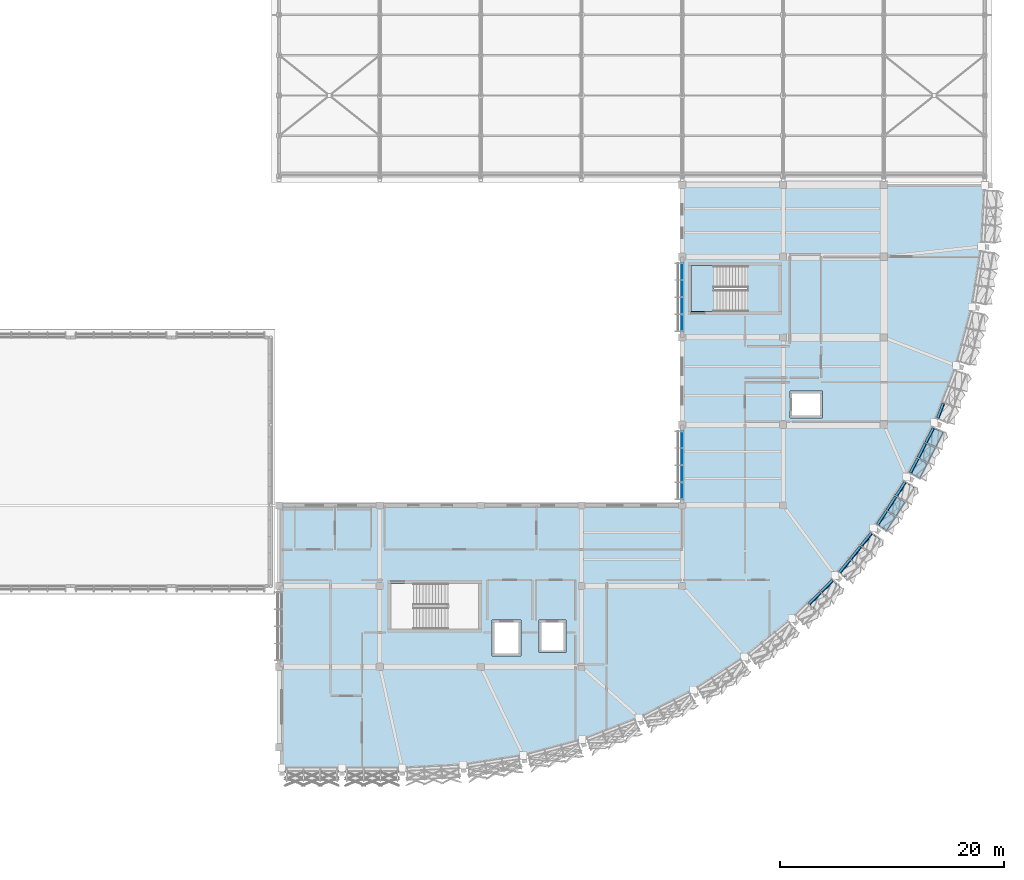
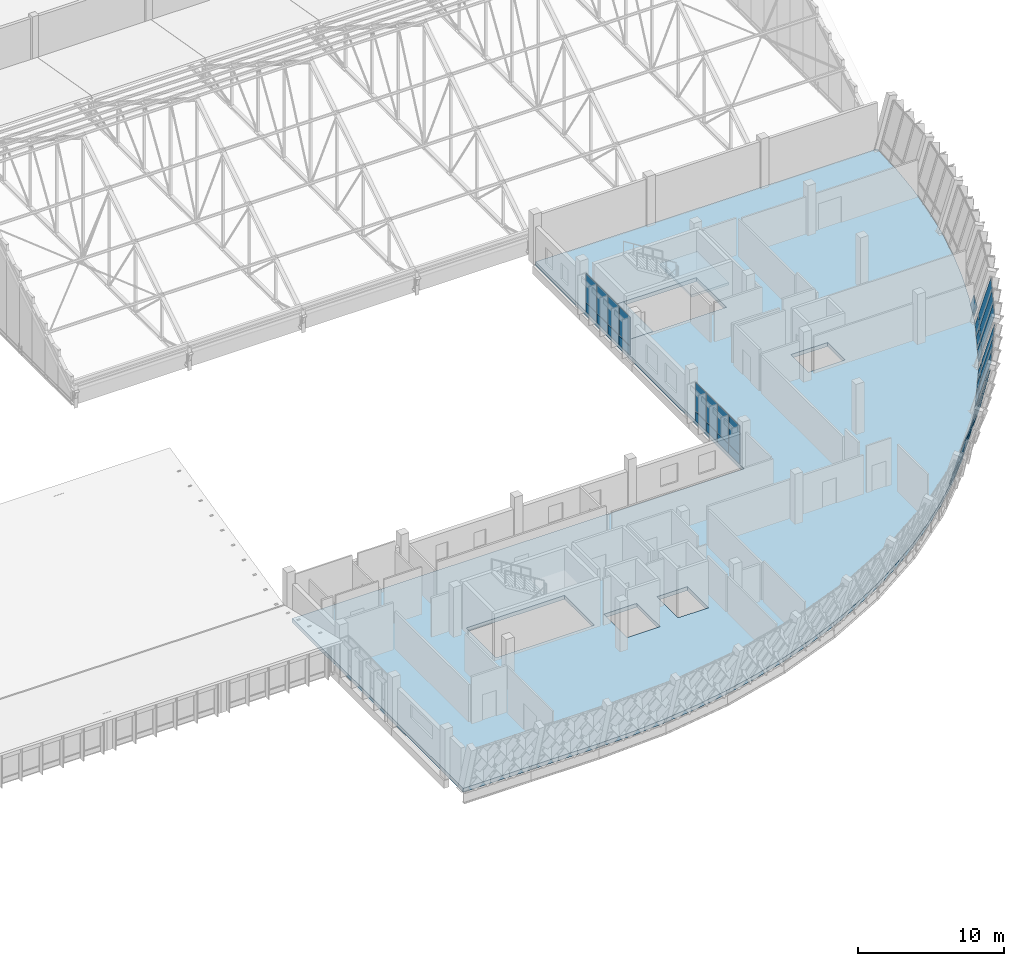
# One storey, part 153 of 182: 39 plates, 3 slabs, 8 elements without a shape of their own.
"""IFC4 building model written with IfcOpenShell, lengths in metres."""

from ifc_helpers import new_model, si_unit, direction, frame, origin, origin_2d, place, context, subcontext, project, spatial, polyline, rectangle, outline, extrude, material, layer, layer_set, type_object, element, aggregate, save


model = new_model("IFC4")

# Units and contexts
model_context = context("Model", 3, precision=1e-05, world=origin(), true_north=direction((0.0, 1.0)))
body_context = subcontext(model_context, "Body", "Model", "MODEL_VIEW")
ifc_project = project(units=[si_unit("LENGTHUNIT", "METRE"), si_unit("AREAUNIT", "SQUARE_METRE"), si_unit("VOLUMEUNIT", "CUBIC_METRE"), si_unit("PLANEANGLEUNIT", "RADIAN"), si_unit("MASSUNIT", "GRAM", prefix="KILO")], contexts=[model_context])

# Site, building, storey
site_placement = place(None, origin())
site = spatial("IfcSite", under=ifc_project, at=site_placement, CompositionType="ELEMENT")
building_placement = place(site_placement, origin())
building = spatial("IfcBuilding", under=site, at=building_placement, Name="Chiffa Square Polytechnic", CompositionType="ELEMENT")
storey_placement = place(building_placement, frame((0.0, 0.0, 9.60009765625)))
storey = spatial("IfcBuildingStorey", under=building, at=storey_placement, Name="L02", CompositionType="ELEMENT", Elevation=9.60009765625)

# Curtain wall, plates
ifc_material_1 = material(Name="Aluminium EN AW-6060 T66 and glulam shading", Category="wood")
curtain_wall_type_1 = type_object("IfcCurtainWallType", Name="CW-PROW-LEAN-150", PredefinedType="USERDEFINED", material=ifc_material_1)
curtain_wall_1_placement = place(storey_placement, origin())
curtain_wall_1 = element("IfcCurtainWall", 1, at=curtain_wall_1_placement, inside=storey, type_object=curtain_wall_type_1, Name="Outward-leaning diamond-fin prow curtain wall CW-V1-L02-037", ObjectType="CURTAIN WALL", PredefinedType="USERDEFINED")
ifc_material_2 = material(Name="Double glazing", Category="glass")
ifc_layer_1 = layer(ifc_material_2, 0.0458984375, Name="Double glazing")
ifc_layer_set_1 = layer_set([ifc_layer_1], Name="Double glazing")
plate_type_1 = type_object("IfcPlateType", Name="CWP-GLZ-128X106", PredefinedType="CURTAIN_PANEL", material=ifc_layer_set_1)
plate_1_placement = place(storey_placement, frame((162.334228515625, 22.765625, 0.8779296875), z_axis=(-0.747978224363, 0.60549840986, 0.271846007025), x_axis=(0.629190433949, 0.77725118054, -1.3280708e-05)))
plate_1 = element("IfcPlate", 2, at=plate_1_placement, type_object=plate_type_1, Name="Leaning prow curtain panel CW-V1-L02-037-PN01", PredefinedType="CURTAIN_PANEL", context=body_context, shape_type="SweptSolid", body=[
    extrude(outline(polyline([(0.0, 0.0), (1.4256808502927982, 5.551115123125783e-17), (1.409511920280749, -3.1351769272348307), (-0.04392767394072132, -3.1351371941604627), (0.0, 0.0)])), origin(), (0.0, 0.0, -1.0), 0.0458984375),
])
plate_2_placement = place(storey_placement, frame((163.30078125, 23.959716796875, 0.8779296875), z_axis=(-0.748004361536, 0.605453513974, 0.271874083978), x_axis=(0.629145841765, 0.777287275744, -2.7508263e-05)))
plate_2 = element("IfcPlate", 3, at=plate_2_placement, type_object=plate_type_1, Name="Leaning prow curtain panel CW-V1-L02-037-PN02", PredefinedType="CURTAIN_PANEL", context=body_context, shape_type="SweptSolid", body=[
    extrude(outline(polyline([(0.0, 0.0), (1.425870618779573, 2.7755575615628914e-17), (1.4392752037283003, -3.135224458592868), (-0.014164383214550467, -3.1351421535746336), (0.0, 0.0)])), origin(), (0.0, 0.0, -1.0), 0.0458984375),
])
plate_3_placement = place(storey_placement, frame((164.267333984375, 25.15380859375, 0.8779296875), z_axis=(-0.748040248726, 0.605416518929, 0.271857729142), x_axis=(0.629107443356, 0.777318354685, -1.3551171e-05)))
plate_3 = element("IfcPlate", 4, at=plate_3_placement, type_object=plate_type_1, Name="Leaning prow curtain panel CW-V1-L02-037-PN03", PredefinedType="CURTAIN_PANEL", context=body_context, shape_type="SweptSolid", body=[
    extrude(outline(polyline([(0.0, 0.0), (1.4258706243067791, 0.0), (1.4693200861258404, -3.1351889536753794), (0.015690733514880137, -3.135148405948471), (0.0, 0.0)])), origin(), (0.0, 0.0, -1.0), 0.0458984375),
])

curtain_wall_type_2 = type_object("IfcCurtainWallType", Name="CW-PROW-LEAN-300", PredefinedType="USERDEFINED", material=ifc_material_1)
curtain_wall_2_placement = place(storey_placement, origin())
curtain_wall_2 = element("IfcCurtainWall", 5, at=curtain_wall_2_placement, inside=storey, type_object=curtain_wall_type_2, Name="Outward-leaning diamond-fin prow curtain wall CW-V1-L02-036", ObjectType="CURTAIN WALL", PredefinedType="USERDEFINED")
ifc_layer_2 = layer(ifc_material_2, 0.0458984375, Name="Double glazing")
ifc_layer_set_2 = layer_set([ifc_layer_2], Name="Double glazing")
plate_type_2 = type_object("IfcPlateType", Name="CWP-GLZ-130X110", PredefinedType="CURTAIN_PANEL", material=ifc_layer_set_2)
plate_4_placement = place(storey_placement, frame((159.5908203125, 19.950927734375, 0.8779296875), z_axis=(-0.68048718727, 0.68048718727, 0.271798410452), x_axis=(0.707106781187, 0.707106781187, 0.0)))
plate_4 = element("IfcPlate", 6, at=plate_4_placement, type_object=plate_type_2, Name="Leaning prow curtain panel CW-V1-L02-036-PN02", PredefinedType="CURTAIN_PANEL", context=body_context, shape_type="SweptSolid", body=[
    extrude(outline(polyline([(0.0, 0.0), (1.4259526397951374, 0.0), (1.439418052132186, -3.1351136771951595), (-0.013810679320049757, -3.1351136771951595), (0.0, 0.0)])), origin(), (0.0, 0.0, -1.0), 0.0458984375),
])
plate_5_placement = place(storey_placement, frame((160.67724609375, 21.037353515625, 0.8779296875), z_axis=(-0.680522792578, 0.680441185336, 0.271824432457), x_axis=(0.707061186312, 0.70715237294, -1.5987614e-05)))
plate_5 = element("IfcPlate", 7, at=plate_5_placement, type_object=plate_type_2, Name="Leaning prow curtain panel CW-V1-L02-036-PN03", PredefinedType="CURTAIN_PANEL", context=body_context, shape_type="SweptSolid", body=[
    extrude(outline(polyline([(0.0, 0.0), (1.425780014288759, 0.0), (1.4690078298560703, -3.1351620264839344), (0.015779101610459638, -3.13511419707687), (0.0, 0.0)])), origin(), (0.0, 0.0, -1.0), 0.0458984375),
])

curtain_wall_type_3 = type_object("IfcCurtainWallType", Name="CW-VERT-300X380", PredefinedType="USERDEFINED", material=ifc_material_1)
curtain_wall_3_placement = place(storey_placement, origin())
curtain_wall_3 = element("IfcCurtainWall", 8, at=curtain_wall_3_placement, inside=storey, type_object=curtain_wall_type_3, Name="Curtain wall CW-V1-L02-131", ObjectType="CURTAIN WALL", PredefinedType="USERDEFINED")
ifc_layer_3 = layer(ifc_material_2, 0.0419921875, Name="Double glazing")
ifc_layer_set_3 = layer_set([ifc_layer_3], Name="Double glazing")
plate_type_3 = type_object("IfcPlateType", Name="CWP-GLZ-136X122", PredefinedType="CURTAIN_PANEL", material=ifc_layer_set_3)
plate_6_placement = place(storey_placement, frame((148.199951171875, 34.68408203125, 0.84033203125), z_axis=(0.0, 0.0, 1.0), x_axis=(0.0, -1.0, 0.0)))
plate_6 = element("IfcPlate", 9, at=plate_6_placement, type_object=plate_type_3, Name="Glazed curtain panel CW-V1-L02-131-PN01", PredefinedType="CURTAIN_PANEL", context=body_context, shape_type="SweptSolid", body=[
    extrude(rectangle(XDim=1.4560546875, YDim=0.0419921875, at=origin_2d()), origin(), (0.0, 0.0, 1.0), 2.385009765625),
])
plate_7_placement = place(storey_placement, frame((148.199951171875, 33.1650390625, 0.84033203125), z_axis=(0.0, 0.0, 1.0), x_axis=(0.0, -1.0, 0.0)))
plate_7 = element("IfcPlate", 10, at=plate_7_placement, type_object=plate_type_3, Name="Glazed curtain panel CW-V1-L02-131-PN02", PredefinedType="CURTAIN_PANEL", context=body_context, shape_type="SweptSolid", body=[
    extrude(rectangle(XDim=1.47802734375, YDim=0.0419921875, at=origin_2d()), origin(), (0.0, 0.0, 1.0), 2.385009765625),
])
plate_8_placement = place(storey_placement, frame((148.199951171875, 31.635009765625, 0.84033203125), z_axis=(0.0, 0.0, 1.0), x_axis=(0.0, -1.0, 0.0)))
plate_8 = element("IfcPlate", 11, at=plate_8_placement, type_object=plate_type_3, Name="Glazed curtain panel CW-V1-L02-131-PN03", PredefinedType="CURTAIN_PANEL", context=body_context, shape_type="SweptSolid", body=[
    extrude(rectangle(XDim=1.47802734375, YDim=0.0419921875, at=origin_2d()), origin(), (0.0, 0.0, 1.0), 2.385009765625),
])
plate_9_placement = place(storey_placement, frame((148.199951171875, 30.115966796875, 0.84033203125), z_axis=(0.0, 0.0, 1.0), x_axis=(0.0, -1.0, 0.0)))
plate_9 = element("IfcPlate", 12, at=plate_9_placement, type_object=plate_type_3, Name="Glazed curtain panel CW-V1-L02-131-PN04", PredefinedType="CURTAIN_PANEL", context=body_context, shape_type="SweptSolid", body=[
    extrude(rectangle(XDim=1.4560546875, YDim=0.0419921875, at=origin_2d()), origin(), (0.0, 0.0, 1.0), 2.385009765625),
])

curtain_wall_type_4 = type_object("IfcCurtainWallType", Name="CW-VERT-450X380", PredefinedType="USERDEFINED", material=ifc_material_1)
curtain_wall_4_placement = place(storey_placement, origin())
curtain_wall_4 = element("IfcCurtainWall", 13, at=curtain_wall_4_placement, inside=storey, type_object=curtain_wall_type_4, Name="Curtain wall CW-V1-L02-130", ObjectType="CURTAIN WALL", PredefinedType="USERDEFINED")
ifc_layer_4 = layer(ifc_material_2, 0.0419921875, Name="Double glazing")
ifc_layer_set_4 = layer_set([ifc_layer_4], Name="Double glazing")
plate_type_4 = type_object("IfcPlateType", Name="CWP-GLZ-138X126", PredefinedType="CURTAIN_PANEL", material=ifc_layer_set_4)
plate_10_placement = place(storey_placement, frame((148.199951171875, 49.68408203125, 0.84033203125), z_axis=(0.0, 0.0, 1.0), x_axis=(0.0, -1.0, 0.0)))
plate_10 = element("IfcPlate", 14, at=plate_10_placement, type_object=plate_type_4, Name="Glazed curtain panel CW-V1-L02-130-PN01", PredefinedType="CURTAIN_PANEL", context=body_context, shape_type="SweptSolid", body=[
    extrude(rectangle(XDim=1.4560546875, YDim=0.0419921875, at=origin_2d()), origin(), (0.0, 0.0, 1.0), 2.385009765625),
])
plate_11_placement = place(storey_placement, frame((148.199951171875, 48.1650390625, 0.84033203125), z_axis=(0.0, 0.0, 1.0), x_axis=(0.0, -1.0, 0.0)))
plate_11 = element("IfcPlate", 15, at=plate_11_placement, type_object=plate_type_4, Name="Glazed curtain panel CW-V1-L02-130-PN02", PredefinedType="CURTAIN_PANEL", context=body_context, shape_type="SweptSolid", body=[
    extrude(rectangle(XDim=1.47802734375, YDim=0.0419921875, at=origin_2d()), origin(), (0.0, 0.0, 1.0), 2.385009765625),
])
plate_12_placement = place(storey_placement, frame((148.199951171875, 46.635009765625, 0.84033203125), z_axis=(0.0, 0.0, 1.0), x_axis=(0.0, -1.0, 0.0)))
plate_12 = element("IfcPlate", 16, at=plate_12_placement, type_object=plate_type_4, Name="Glazed curtain panel CW-V1-L02-130-PN03", PredefinedType="CURTAIN_PANEL", context=body_context, shape_type="SweptSolid", body=[
    extrude(rectangle(XDim=1.47802734375, YDim=0.0419921875, at=origin_2d()), origin(), (0.0, 0.0, 1.0), 2.385009765625),
])
plate_13_placement = place(storey_placement, frame((148.199951171875, 45.115966796875, 0.84033203125), z_axis=(0.0, 0.0, 1.0), x_axis=(0.0, -1.0, 0.0)))
plate_13 = element("IfcPlate", 17, at=plate_13_placement, type_object=plate_type_4, Name="Glazed curtain panel CW-V1-L02-130-PN04", PredefinedType="CURTAIN_PANEL", context=body_context, shape_type="SweptSolid", body=[
    extrude(rectangle(XDim=1.4560546875, YDim=0.0419921875, at=origin_2d()), origin(), (0.0, 0.0, 1.0), 2.385009765625),
])

curtain_wall_5_placement = place(storey_placement, origin())
curtain_wall_5 = element("IfcCurtainWall", 18, at=curtain_wall_5_placement, inside=storey, type_object=curtain_wall_type_1, Name="Outward-leaning diamond-fin prow curtain wall CW-V1-L02-039", ObjectType="CURTAIN WALL", PredefinedType="USERDEFINED")
ifc_layer_5 = layer(ifc_material_2, 0.035888671875, Name="Double glazing")
ifc_layer_set_5 = layer_set([ifc_layer_5], Name="Double glazing")
plate_type_5 = type_object("IfcPlateType", Name="CWP-GLZ-150X125", PredefinedType="CURTAIN_PANEL", material=ifc_layer_set_5)
plate_14_placement = place(storey_placement, frame((168.66845703125, 31.658203125, 0.8779296875), z_axis=(-0.857365950557, 0.436965324568, 0.27200171314), x_axis=(0.454083095093, 0.890959338372, -1.0852916e-05)))
plate_14 = element("IfcPlate", 19, at=plate_14_placement, type_object=plate_type_5, Name="Leaning prow curtain panel CW-V1-L02-039-PN01", PredefinedType="CURTAIN_PANEL", context=body_context, shape_type="SweptSolid", body=[
    extrude(outline(polyline([(0.0, 0.0), (1.4259718664737742, 0.0), (1.410119061189333, -3.135316724393722), (-0.04304108954923857, -3.1352842531450755), (0.0, 0.0)])), origin(), (0.0, 0.0, -1.0), 0.035888671875),
])
plate_15_placement = place(storey_placement, frame((169.365966796875, 33.027099609375, 0.8779296875), z_axis=(-0.857366651184, 0.436965681649, 0.271998931062), x_axis=(0.454083095149, 0.890959338344, -1.0852814e-05)))
plate_15 = element("IfcPlate", 20, at=plate_15_placement, type_object=plate_type_5, Name="Leaning prow curtain panel CW-V1-L02-039-PN02", PredefinedType="CURTAIN_PANEL", context=body_context, shape_type="SweptSolid", body=[
    extrude(outline(polyline([(0.0, 0.0), (1.4259718664737724, 0.0), (1.4397084606658335, -3.1353144958217225), (-0.013451690072743822, -3.135282024905197), (0.0, 0.0)])), origin(), (0.0, 0.0, -1.0), 0.035888671875),
])
plate_16_placement = place(storey_placement, frame((170.063720703125, 34.39599609375, 0.8779296875), z_axis=(-0.857412962183, 0.436866101973, 0.272012906361), x_axis=(0.453978938591, 0.891012414548, -2.0932267e-05)))
plate_16 = element("IfcPlate", 21, at=plate_16_placement, type_object=plate_type_5, Name="Leaning prow curtain panel CW-V1-L02-039-PN03", PredefinedType="CURTAIN_PANEL", context=body_context, shape_type="SweptSolid", body=[
    extrude(outline(polyline([(0.0, 0.0), (1.4258610282005693, 0.0), (1.4693852795035973, -3.1353430927678536), (0.016007614032160205, -3.135280462200278), (0.0, 0.0)])), origin(), (0.0, 0.0, -1.0), 0.035888671875),
])

curtain_wall_6_placement = place(storey_placement, origin())
curtain_wall_6 = element("IfcCurtainWall", 22, at=curtain_wall_6_placement, inside=storey, type_object=curtain_wall_type_2, Name="Outward-leaning diamond-fin prow curtain wall CW-V1-L02-038", ObjectType="CURTAIN WALL", PredefinedType="USERDEFINED")
ifc_layer_6 = layer(ifc_material_2, 0.035888671875, Name="Double glazing")
ifc_layer_set_6 = layer_set([ifc_layer_6], Name="Double glazing")
plate_type_6 = type_object("IfcPlateType", Name="CWP-GLZ-150X145", PredefinedType="CURTAIN_PANEL", material=ifc_layer_set_6)
plate_17_placement = place(storey_placement, frame((165.734130859375, 27.04638671875, 0.8779296875), z_axis=(-0.807013423955, 0.524215940743, 0.27189516551), x_axis=(0.544729282179, 0.838611953056, -3.6450628e-05)))
plate_17 = element("IfcPlate", 23, at=plate_17_placement, type_object=plate_type_6, Name="Leaning prow curtain panel CW-V1-L02-038-PN01", PredefinedType="CURTAIN_PANEL", context=body_context, shape_type="SweptSolid", body=[
    extrude(outline(polyline([(0.0, 0.0), (1.425518030137595, 2.7755575615628914e-17), (1.4098127336501232, -3.1352561227598708), (-0.04332919013115441, -3.135147086043083), (0.0, 0.0)])), origin(), (0.0, 0.0, -1.0), 0.035888671875),
])
plate_18_placement = place(storey_placement, frame((166.57080078125, 28.334716796875, 0.8779296875), z_axis=(-0.806987198527, 0.524227501601, 0.271950708729), x_axis=(0.544757539196, 0.838593598509, -5.392792e-06)))
plate_18 = element("IfcPlate", 24, at=plate_18_placement, type_object=plate_type_6, Name="Leaning prow curtain panel CW-V1-L02-038-PN02", PredefinedType="CURTAIN_PANEL", context=body_context, shape_type="SweptSolid", body=[
    extrude(outline(polyline([(0.0, 0.0), (1.425651021503993, 0.0), (1.4400666688172512, -3.13526192415898), (-0.01327999704428418, -3.1352457902551127), (0.0, 0.0)])), origin(), (0.0, 0.0, -1.0), 0.035888671875),
])
plate_19_placement = place(storey_placement, frame((167.40771484375, 29.623046875, 0.8779296875), z_axis=(-0.807020891391, 0.524167780908, 0.271965840348), x_axis=(0.544693402163, 0.838635258647, -2.4369121e-05)))
plate_19 = element("IfcPlate", 25, at=plate_19_placement, type_object=plate_type_6, Name="Leaning prow curtain panel CW-V1-L02-038-PN03", PredefinedType="CURTAIN_PANEL", context=body_context, shape_type="SweptSolid", body=[
    extrude(outline(polyline([(0.0, 0.0), (1.4255180372250094, -5.551115123125783e-17), (1.4696049830881088, -3.1353050033412684), (0.01625832430358971, -3.135232099984918), (0.0, 0.0)])), origin(), (0.0, 0.0, -1.0), 0.035888671875),
])

# Plate
ifc_material_3 = material(Name="Aluminium insulated spandrel", Category="aluminium")
ifc_layer_7 = layer(ifc_material_3, 0.072021484375, Name="Aluminium insulated spandrel")
ifc_layer_set_7 = layer_set([ifc_layer_7], Name="Aluminium insulated spandrel")
plate_type_7 = type_object("IfcPlateType", Name="CWP-SPN-136X072", PredefinedType="SHEET", material=ifc_layer_set_7)
plate_20_placement = place(storey_placement, frame((162.16015625, 22.92236328125, 0.0498046875), z_axis=(-0.748052670682, 0.605483799074, 0.271673647865), x_axis=(0.629148714013, 0.777284951314, 1.0786799e-05)))
plate_20 = element("IfcPlate", 26, at=plate_20_placement, type_object=plate_type_7, Name="Leaning prow curtain panel CW-V1-L02-037-SP01", PredefinedType="SHEET", context=body_context, shape_type="SweptSolid", body=[
    extrude(outline(polyline([(0.0, 0.0), (1.4178646658289926, 0.0), (1.4136663853875553, -0.8023794921752657), (-0.011327731303854257, -0.802411355936701), (0.0, 0.0)])), origin(), (0.0, 0.0, -1.0), 0.072021484375),
])

plate_21_placement = place(storey_placement, frame((163.121337890625, 24.110107421875, 0.0498046875), z_axis=(-0.747976975007, 0.605422529986, 0.272018391004), x_axis=(0.629148720024, 0.777284946449, 1.0799395e-05)))
plate_21 = element("IfcPlate", 27, at=plate_21_placement, type_object=plate_type_7, Name="Leaning prow curtain panel CW-V1-L02-037-SP02", PredefinedType="SHEET", context=body_context, shape_type="SweptSolid", body=[
    extrude(outline(polyline([(0.0, 0.0), (1.417864665829219, 2.7755575615628914e-17), (1.4214464167784995, -0.8024605875996924), (-0.0035476999122304722, -0.8024924917949837), (0.0, 0.0)])), origin(), (0.0, 0.0, -1.0), 0.072021484375),
])

plate_22_placement = place(storey_placement, frame((164.082763671875, 25.297607421875, 0.0498046875), z_axis=(-0.748088445924, 0.605445863328, 0.271659683527), x_axis=(0.629103604097, 0.77732146201, -3.409175e-06)))
plate_22 = element("IfcPlate", 28, at=plate_22_placement, type_object=plate_type_7, Name="Leaning prow curtain panel CW-V1-L02-037-SP03", PredefinedType="SHEET", context=body_context, shape_type="SweptSolid", body=[
    extrude(outline(polyline([(0.0, 0.0), (1.418054436118946, 0.0), (1.4292751474283922, -0.802397113500277), (0.004281029415414144, -0.8023870423059292), (0.0, 0.0)])), origin(), (0.0, 0.0, -1.0), 0.072021484375),
])

aggregate(curtain_wall_1, [plate_20, plate_1, plate_21, plate_2, plate_22, plate_3])

ifc_layer_8 = layer(ifc_material_3, 0.070068359375, Name="Aluminium insulated spandrel")
ifc_layer_set_8 = layer_set([ifc_layer_8], Name="Aluminium insulated spandrel")
plate_type_8 = type_object("IfcPlateType", Name="CWP-SPN-138X074", PredefinedType="SHEET", material=ifc_layer_set_8)
plate_23_placement = place(storey_placement, frame((159.427978515625, 20.119140625, 0.0498046875), z_axis=(-0.680440190066, 0.680522817897, 0.271826860456), x_axis=(0.707152897955, 0.70706066123, 1.5961211e-05)))
plate_23 = element("IfcPlate", 29, at=plate_23_placement, type_object=plate_type_8, Name="Leaning prow curtain panel CW-V1-L02-036-SP02", PredefinedType="SHEET", context=body_context, shape_type="SweptSolid", body=[
    extrude(outline(polyline([(0.0, 0.0), (1.418184140739986, 0.0), (1.4218359901476656, -0.8024078277673807), (-0.003426112468524506, -0.8024549883907954), (0.0, 0.0)])), origin(), (0.0, 0.0, -1.0), 0.070068359375),
])

plate_24_placement = place(storey_placement, frame((160.5087890625, 21.19970703125, 0.0498046875), z_axis=(-0.680562491556, 0.68047986894, 0.271628133767), x_axis=(0.707067021882, 0.707146538077, 1.5869334e-05)))
plate_24 = element("IfcPlate", 30, at=plate_24_placement, type_object=plate_type_8, Name="Leaning prow curtain panel CW-V1-L02-036-SP03", PredefinedType="SHEET", context=body_context, shape_type="SweptSolid", body=[
    extrude(outline(polyline([(0.0, 0.0), (1.4183567637485082, 0.0), (1.4294053120646075, -0.8023610560955499), (0.00397056547008662, -0.8024079482087519), (0.0, 0.0)])), origin(), (0.0, 0.0, -1.0), 0.070068359375),
])

aggregate(curtain_wall_2, [plate_23, plate_4, plate_24, plate_5])

ifc_layer_9 = layer(ifc_material_3, 0.068115234375, Name="Aluminium insulated spandrel")
ifc_layer_set_9 = layer_set([ifc_layer_9], Name="Aluminium insulated spandrel")
plate_type_9 = type_object("IfcPlateType", Name="CWP-SPN-140X076", PredefinedType="SHEET", material=ifc_layer_set_9)
plate_25_placement = place(storey_placement, frame((148.199951171875, 34.68408203125, 0.0498046875), z_axis=(0.0, 0.0, 1.0), x_axis=(0.0, -1.0, 0.0)))
plate_25 = element("IfcPlate", 31, at=plate_25_placement, type_object=plate_type_9, Name="Spandrel panel CW-V1-L02-131-SP01", PredefinedType="SHEET", context=body_context, shape_type="SweptSolid", body=[
    extrude(rectangle(XDim=1.4560546875, YDim=0.068115234375, at=origin_2d()), origin(), (0.0, 0.0, 1.0), 0.75),
])

plate_26_placement = place(storey_placement, frame((148.199951171875, 33.1650390625, 0.0498046875), z_axis=(0.0, 0.0, 1.0), x_axis=(0.0, -1.0, 0.0)))
plate_26 = element("IfcPlate", 32, at=plate_26_placement, type_object=plate_type_9, Name="Spandrel panel CW-V1-L02-131-SP02", PredefinedType="SHEET", context=body_context, shape_type="SweptSolid", body=[
    extrude(rectangle(XDim=1.47802734375, YDim=0.068115234375, at=origin_2d()), origin(), (0.0, 0.0, 1.0), 0.75),
])

plate_27_placement = place(storey_placement, frame((148.199951171875, 31.635009765625, 0.0498046875), z_axis=(0.0, 0.0, 1.0), x_axis=(0.0, -1.0, 0.0)))
plate_27 = element("IfcPlate", 33, at=plate_27_placement, type_object=plate_type_9, Name="Spandrel panel CW-V1-L02-131-SP03", PredefinedType="SHEET", context=body_context, shape_type="SweptSolid", body=[
    extrude(rectangle(XDim=1.47802734375, YDim=0.068115234375, at=origin_2d()), origin(), (0.0, 0.0, 1.0), 0.75),
])

plate_28_placement = place(storey_placement, frame((148.199951171875, 30.115966796875, 0.0498046875), z_axis=(0.0, 0.0, 1.0), x_axis=(0.0, -1.0, 0.0)))
plate_28 = element("IfcPlate", 34, at=plate_28_placement, type_object=plate_type_9, Name="Spandrel panel CW-V1-L02-131-SP04", PredefinedType="SHEET", context=body_context, shape_type="SweptSolid", body=[
    extrude(rectangle(XDim=1.4560546875, YDim=0.068115234375, at=origin_2d()), origin(), (0.0, 0.0, 1.0), 0.75),
])

aggregate(curtain_wall_3, [plate_25, plate_6, plate_26, plate_7, plate_27, plate_8, plate_28, plate_9])

ifc_layer_10 = layer(ifc_material_3, 0.06591796875, Name="Aluminium insulated spandrel")
ifc_layer_set_10 = layer_set([ifc_layer_10], Name="Aluminium insulated spandrel")
plate_type_10 = type_object("IfcPlateType", Name="CWP-SPN-144X078", PredefinedType="SHEET", material=ifc_layer_set_10)
plate_29_placement = place(storey_placement, frame((148.199951171875, 49.68408203125, 0.0498046875), z_axis=(0.0, 0.0, 1.0), x_axis=(0.0, -1.0, 0.0)))
plate_29 = element("IfcPlate", 35, at=plate_29_placement, type_object=plate_type_10, Name="Spandrel panel CW-V1-L02-130-SP01", PredefinedType="SHEET", context=body_context, shape_type="SweptSolid", body=[
    extrude(rectangle(XDim=1.4560546875, YDim=0.06591796875, at=origin_2d()), origin(), (0.0, 0.0, 1.0), 0.75),
])

plate_30_placement = place(storey_placement, frame((148.199951171875, 48.1650390625, 0.0498046875), z_axis=(0.0, 0.0, 1.0), x_axis=(0.0, -1.0, 0.0)))
plate_30 = element("IfcPlate", 36, at=plate_30_placement, type_object=plate_type_10, Name="Spandrel panel CW-V1-L02-130-SP02", PredefinedType="SHEET", context=body_context, shape_type="SweptSolid", body=[
    extrude(rectangle(XDim=1.47802734375, YDim=0.06591796875, at=origin_2d()), origin(), (0.0, 0.0, 1.0), 0.75),
])

plate_31_placement = place(storey_placement, frame((148.199951171875, 46.635009765625, 0.0498046875), z_axis=(0.0, 0.0, 1.0), x_axis=(0.0, -1.0, 0.0)))
plate_31 = element("IfcPlate", 37, at=plate_31_placement, type_object=plate_type_10, Name="Spandrel panel CW-V1-L02-130-SP03", PredefinedType="SHEET", context=body_context, shape_type="SweptSolid", body=[
    extrude(rectangle(XDim=1.47802734375, YDim=0.06591796875, at=origin_2d()), origin(), (0.0, 0.0, 1.0), 0.75),
])

plate_32_placement = place(storey_placement, frame((148.199951171875, 45.115966796875, 0.0498046875), z_axis=(0.0, 0.0, 1.0), x_axis=(0.0, -1.0, 0.0)))
plate_32 = element("IfcPlate", 38, at=plate_32_placement, type_object=plate_type_10, Name="Spandrel panel CW-V1-L02-130-SP04", PredefinedType="SHEET", context=body_context, shape_type="SweptSolid", body=[
    extrude(rectangle(XDim=1.4560546875, YDim=0.06591796875, at=origin_2d()), origin(), (0.0, 0.0, 1.0), 0.75),
])

aggregate(curtain_wall_4, [plate_29, plate_10, plate_30, plate_11, plate_31, plate_12, plate_32, plate_13])

# Curtain wall, plate
curtain_wall_7_placement = place(storey_placement, origin())
curtain_wall_7 = element("IfcCurtainWall", 39, at=curtain_wall_7_placement, inside=storey, type_object=curtain_wall_type_2, Name="Outward-leaning diamond-fin prow curtain wall CW-V1-L02-040", ObjectType="CURTAIN WALL", PredefinedType="USERDEFINED")
ifc_layer_11 = layer(ifc_material_3, 0.06201171875, Name="Aluminium insulated spandrel")
ifc_layer_set_11 = layer_set([ifc_layer_11], Name="Aluminium insulated spandrel")
plate_type_11 = type_object("IfcPlateType", Name="CWP-SPN-148X084", PredefinedType="SHEET", material=ifc_layer_set_11)
plate_33_placement = place(storey_placement, frame((170.890625, 36.646484375, 0.0498046875), z_axis=(-0.898367879325, 0.34489065712, 0.272002919155), x_axis=(0.358400238707, 0.933568031113, -1.3342947e-05)))
plate_33 = element("IfcPlate", 40, at=plate_33_placement, type_object=plate_type_11, Name="Leaning prow curtain panel CW-V1-L02-040-SP01", PredefinedType="SHEET", context=body_context, shape_type="SweptSolid", body=[
    extrude(outline(polyline([(0.0, 0.0), (1.4184234125357469, 0.0), (1.4143689046479027, -0.8024925041126241), (-0.011170899358995548, -0.8024530704721142), (0.0, 0.0)])), origin(), (0.0, 0.0, -1.0), 0.06201171875),
])
aggregate(curtain_wall_7, [plate_33])

# Plate
ifc_layer_12 = layer(ifc_material_3, 0.06005859375, Name="Aluminium insulated spandrel")
ifc_layer_set_12 = layer_set([ifc_layer_12], Name="Aluminium insulated spandrel")
plate_type_12 = type_object("IfcPlateType", Name="CWP-SPN-150X080", PredefinedType="SHEET", material=ifc_layer_set_12)
plate_34_placement = place(storey_placement, frame((168.465087890625, 31.77490234375, 0.0498046875), z_axis=(-0.857393665244, 0.436916378791, 0.271992979216), x_axis=(0.454032484325, 0.890985130712, -5.224373e-06)))
plate_34 = element("IfcPlate", 41, at=plate_34_placement, type_object=plate_type_12, Name="Leaning prow curtain panel CW-V1-L02-039-SP01", PredefinedType="SHEET", context=body_context, shape_type="SweptSolid", body=[
    extrude(outline(polyline([(0.0, 0.0), (1.418546805504593, 0.0), (1.4144233595598197, -0.8024782288273482), (-0.011002608680132564, -0.8024627887498089), (0.0, 0.0)])), origin(), (0.0, 0.0, -1.0), 0.06005859375),
])

plate_35_placement = place(storey_placement, frame((169.1591796875, 33.13671875, 0.0498046875), z_axis=(-0.857443413643, 0.436860684969, 0.271925604401), x_axis=(0.453965614267, 0.891019203516, -5.272014e-06)))
plate_35 = element("IfcPlate", 42, at=plate_35_placement, type_object=plate_type_12, Name="Leaning prow curtain panel CW-V1-L02-039-SP02", PredefinedType="SHEET", context=body_context, shape_type="SweptSolid", body=[
    extrude(outline(polyline([(0.0, 0.0), (1.4182184380429939, 2.7755575615628914e-17), (1.4217211640915988, -0.8024624606197925), (-0.0033764324165769387, -0.8024468836515272), (0.0, 0.0)])), origin(), (0.0, 0.0, -1.0), 0.06005859375),
])

plate_36_placement = place(storey_placement, frame((169.85302734375, 34.49853515625, 0.0498046875), z_axis=(-0.857394548209, 0.43695892903, 0.271921832595), x_axis=(0.454069795396, 0.890966116575, 5.027099e-06)))
plate_36 = element("IfcPlate", 43, at=plate_36_placement, type_object=plate_type_12, Name="Leaning prow curtain panel CW-V1-L02-039-SP03", PredefinedType="SHEET", context=body_context, shape_type="SweptSolid", body=[
    extrude(outline(polyline([(0.0, 0.0), (1.4183292821396534, 5.551115123125783e-17), (1.4295080641230222, -0.802446315374674), (0.00408209585761597, -0.8024611709838583), (0.0, 0.0)])), origin(), (0.0, 0.0, -1.0), 0.06005859375),
])

aggregate(curtain_wall_5, [plate_34, plate_14, plate_35, plate_15, plate_36, plate_16])

ifc_layer_13 = layer(ifc_material_3, 0.06005859375, Name="Aluminium insulated spandrel")
ifc_layer_set_13 = layer_set([ifc_layer_13], Name="Aluminium insulated spandrel")
plate_type_13 = type_object("IfcPlateType", Name="CWP-SPN-150X095", PredefinedType="SHEET", material=ifc_layer_set_13)
plate_37_placement = place(storey_placement, frame((165.54443359375, 27.183837890625, 0.0498046875), z_axis=(-0.807028141557, 0.524246009629, 0.271793488005), x_axis=(0.544751074546, 0.838597797946, -7.733646e-06)))
plate_37 = element("IfcPlate", 44, at=plate_37_placement, type_object=plate_type_13, Name="Leaning prow curtain panel CW-V1-L02-038-SP01", PredefinedType="SHEET", context=body_context, shape_type="SweptSolid", body=[
    extrude(outline(polyline([(0.0, 0.0), (1.4180669613433237, 0.0), (1.413905300422774, -0.8024349127801135), (-0.011203253777839435, -0.802412064558208), (0.0, 0.0)])), origin(), (0.0, 0.0, -1.0), 0.06005859375),
])

plate_38_placement = place(storey_placement, frame((166.376708984375, 28.465087890625, 0.0498046875), z_axis=(-0.807068083415, 0.524189315288, 0.271784235141), x_axis=(0.544686199539, 0.838639936636, -2.6664659e-05)))
plate_38 = element("IfcPlate", 45, at=plate_38_placement, type_object=plate_type_13, Name="Leaning prow curtain panel CW-V1-L02-038-SP02", PredefinedType="SHEET", context=body_context, shape_type="SweptSolid", body=[
    extrude(outline(polyline([(0.0, 0.0), (1.417933979613181, 2.7755575615628914e-17), (1.4216626097327945, -0.8024607626738939), (-0.003445936255246253, -0.8023819887233076), (0.0, 0.0)])), origin(), (0.0, 0.0, -1.0), 0.06005859375),
])

plate_39_placement = place(storey_placement, frame((167.208984375, 29.74658203125, 0.0498046875), z_axis=(-0.807071358792, 0.524108801705, 0.271929744223), x_axis=(0.544630259479, 0.838676266743, -7.831528e-06)))
plate_39 = element("IfcPlate", 46, at=plate_39_placement, type_object=plate_type_13, Name="Leaning prow curtain panel CW-V1-L02-038-SP03", PredefinedType="SHEET", context=body_context, shape_type="SweptSolid", body=[
    extrude(outline(polyline([(0.0, 0.0), (1.417933985849308, 2.7755575615628914e-17), (1.4292466597930176, -0.802467278778237), (0.004271093242170521, -0.802444142616354), (0.0, 0.0)])), origin(), (0.0, 0.0, -1.0), 0.06005859375),
])

aggregate(curtain_wall_6, [plate_37, plate_17, plate_38, plate_18, plate_39, plate_19])

# Slabs
ifc_material_4 = material(Name="Concrete C40/50", Category="concrete")
ifc_layer_14 = layer(ifc_material_4, 0.320068359375, Name="Concrete C40/50")
ifc_layer_set_14 = layer_set([ifc_layer_14], Name="Concrete C40/50")
slab_type_1 = type_object("IfcSlabType", Name="SLB-FLR-320", PredefinedType="FLOOR", material=ifc_layer_set_14)
slab_1_placement = place(storey_placement, frame((0.0, 0.0, -0.320068359375)))
element("IfcSlab", 47, at=slab_1_placement, inside=storey, type_object=slab_type_1, Name="V1 L02 structural slab SLB-V1-L02-004", PredefinedType="FLOOR", context=body_context, shape_type="SweptSolid", body=[
    extrude(outline(polyline([(112.449951171875, 28.800048828125), (148.199951171875, 28.800048828125), (148.199951171875, 57.35009765625), (175.199951171875, 57.35009765625), (175.12890625, 54.62890625), (174.9150390625, 51.9150390625), (174.56005859375, 49.215087890625), (174.06396484375, 46.5390625), (173.427978515625, 43.89111328125), (172.655029296875, 41.281005859375), (171.74609375, 38.715087890625), (170.7041015625, 36.199951171875), (169.531982421875, 33.741943359375), (168.23291015625, 31.35009765625), (166.81103515625, 29.029052734375), (165.26904296875, 26.784912109375), (163.612060546875, 24.625), (161.843994140625, 22.554931640625), (159.969970703125, 20.580078125), (157.9951171875, 18.7060546875), (155.925048828125, 16.93798828125), (153.764892578125, 15.281005859375), (151.52099609375, 13.739013671875), (149.199951171875, 12.31689453125), (146.80810546875, 11.01806640625), (144.35009765625, 9.845947265625), (141.8349609375, 8.803955078125), (139.26904296875, 7.89501953125), (136.658935546875, 7.1220703125), (134.010986328125, 6.486083984375), (131.3349609375, 5.989990234375), (128.635009765625, 5.635009765625), (125.9208984375, 5.4208984375), (123.199951171875, 5.35009765625), (120.512939453125, 5.35009765625), (117.824951171875, 5.35009765625), (115.137939453125, 5.35009765625), (112.449951171875, 5.35009765625), (112.449951171875, 28.800048828125)]), holes=[polyline([(122.199951171875, 21.85009765625), (130.0, 21.85009765625), (130.0, 17.75), (122.199951171875, 17.75), (122.199951171875, 21.85009765625)]), polyline([(149.0, 50.199951171875), (156.800048828125, 50.199951171875), (156.800048828125, 46.10009765625), (149.0, 46.10009765625), (149.0, 50.199951171875)]), polyline([(131.199951171875, 18.550048828125), (133.800048828125, 18.550048828125), (133.800048828125, 15.35009765625), (131.199951171875, 15.35009765625), (131.199951171875, 18.550048828125)]), polyline([(135.39990234375, 18.550048828125), (137.800048828125, 18.550048828125), (137.800048828125, 15.64990234375), (135.39990234375, 15.64990234375), (135.39990234375, 18.550048828125)]), polyline([(157.800048828125, 39.0), (160.699951171875, 39.0), (160.699951171875, 36.60009765625), (157.800048828125, 36.60009765625), (157.800048828125, 39.0)])]), origin(), (0.0, 0.0, 1.0), 0.320068359375),
])
ifc_layer_15 = layer(ifc_material_4, 0.35009765625, Name="Concrete C40/50")
ifc_layer_set_15 = layer_set([ifc_layer_15], Name="Concrete C40/50")
slab_type_2 = type_object("IfcSlabType", Name="SLB-FLR-350", PredefinedType="FLOOR", material=ifc_layer_set_15)
slab_2_placement = place(storey_placement, frame((0.0, 0.0, -0.35009765625)))
element("IfcSlab", 48, at=slab_2_placement, inside=storey, type_object=slab_type_2, Name="Stair core floor landing slab SLB-CORE-CORE-V1B-L02", PredefinedType="FLOOR", context=body_context, shape_type="SweptSolid", body=[
    extrude(outline(polyline([(149.0, 46.10009765625), (151.011962890625, 46.10009765625), (151.011962890625, 50.199951171875), (149.0, 50.199951171875), (149.0, 46.10009765625)])), origin(), (0.0, 0.0, 1.0), 0.35009765625),
])

# Stair, slab
ifc_material_5 = material(Name="Concrete C35/45", Category="concrete")
stair_type = type_object("IfcStairType", Name="STAIR-DOG-1950", PredefinedType="HALF_TURN_STAIR", material=ifc_material_5)
stair_placement = place(storey_placement, origin())
stair = element("IfcStair", 49, at=stair_placement, inside=storey, type_object=stair_type, Name="L02 Enclosed exit stair ST-V1B", PredefinedType="HALF_TURN_STAIR")
ifc_layer_16 = layer(ifc_material_5, 0.199951171875, Name="Concrete C35/45")
ifc_layer_set_16 = layer_set([ifc_layer_16], Name="Concrete C35/45")
slab_type_3 = type_object("IfcSlabType", Name="SLB-LND-200", PredefinedType="LANDING", material=ifc_layer_set_16)
slab_3_placement = place(storey_placement, frame((0.0, 0.0, 1.89990234375)))
slab_3 = element("IfcSlab", 50, at=slab_3_placement, type_object=slab_type_3, Name="ST-V1B landing 1", PredefinedType="LANDING", context=body_context, shape_type="SweptSolid", body=[
    extrude(outline(polyline([(153.9599609375, 45.97998046875), (153.9599609375, 50.320068359375), (156.919921875, 50.320068359375), (156.919921875, 45.97998046875), (153.9599609375, 45.97998046875)])), origin(), (0.0, 0.0, 1.0), 0.199951171875),
])
aggregate(stair, [slab_3])

save(model, "model.ifc")
